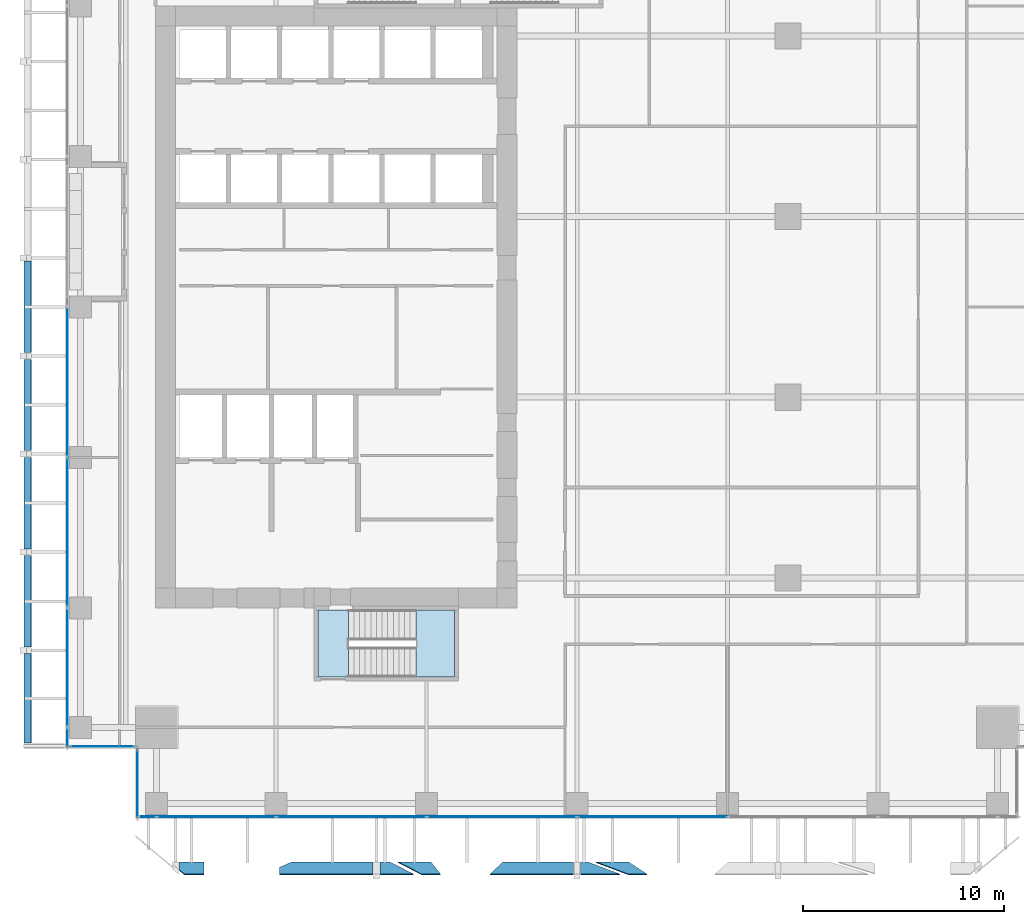
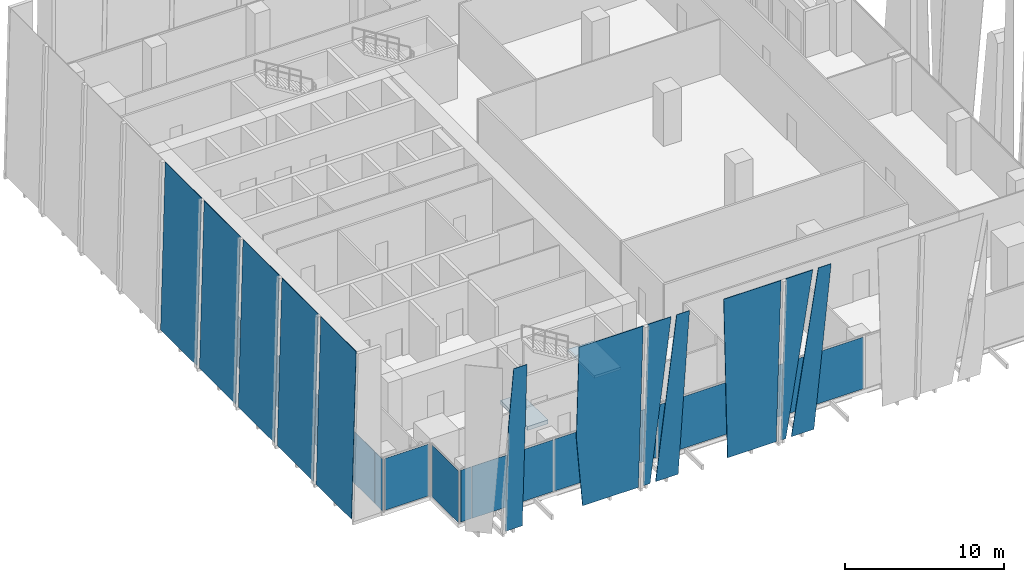
# One storey, part 21 of 35: 23 plates, 2 slabs, 5 elements without a shape of their own.
"""IFC4 building model written with IfcOpenShell, lengths in metres."""

from ifc_helpers import new_model, si_unit, direction, frame, origin, origin_2d, place, context, subcontext, project, spatial, polyline, rectangle, outline, extrude, source, transform, mapped, material, layer, layer_set, type_object, element, aggregate, save


model = new_model("IFC4")

# Units and contexts
model_context = context("Model", 3, precision=1e-05, world=origin(), true_north=direction((0.0, 1.0)))
body_context = subcontext(model_context, "Body", "Model", "MODEL_VIEW")
ifc_project = project(units=[si_unit("LENGTHUNIT", "METRE"), si_unit("AREAUNIT", "SQUARE_METRE"), si_unit("VOLUMEUNIT", "CUBIC_METRE"), si_unit("PLANEANGLEUNIT", "RADIAN"), si_unit("MASSUNIT", "GRAM", prefix="KILO")], contexts=[model_context])

# Site, building, storey
site_placement = place(None, origin())
site = spatial("IfcSite", under=ifc_project, at=site_placement, CompositionType="ELEMENT")
building_placement = place(site_placement, origin())
building = spatial("IfcBuilding", under=site, at=building_placement, Name="Khomas Fold Tower", CompositionType="ELEMENT")
storey_placement = place(building_placement, frame((0.0, 0.0, 127.89990234375)))
storey = spatial("IfcBuildingStorey", under=building, at=storey_placement, Name="L27", CompositionType="ELEMENT", Elevation=127.89990234375)

# Plates
ifc_material_1 = material(Name="Clear laminated glass", Category="glass")
ifc_layer_1 = layer(ifc_material_1, 0.0400390625)
ifc_layer_set_1 = layer_set([ifc_layer_1], Name="Clear laminated glass")
plate_type_1 = type_object("IfcPlateType", Name="SK-Clear laminated glass leaf", PredefinedType="SHEET", material=ifc_layer_set_1)
plate_1_placement = place(storey_placement, frame((8.39990234375, -0.653076171875, 0.0), z_axis=(-7.7752314e-05, 0.998875188287, 0.047416792155), x_axis=(-0.999999996977, -7.7664857e-05, -3.686765e-06)))
element("IfcPlate", 1, at=plate_1_placement, inside=storey, type_object=plate_type_1, Name="OUTER SKIN glass L27 SG099-2", PredefinedType="SHEET", context=body_context, shape_type="SweptSolid", body=[
    extrude(outline(polyline([(0.0, 0.0), (1.2299804650321244, -5.209169907552692e-22), (1.2299804783288064, 8.18817331555536), (0.969482417369714, 12.764356498757895), (-1.5748206985767067e-09, 12.764356498757895), (0.0, 0.0)])), origin(), (0.0, 0.0, -1.0), 0.0400390625),
])
plate_2_placement = place(storey_placement, frame((19.712646484375, -0.653076171875, 0.0), z_axis=(0.0, 0.998875266546, 0.047415207295), x_axis=(-1.0, 0.0, 0.0)))
element("IfcPlate", 2, at=plate_2_placement, inside=storey, type_object=plate_type_1, Name="OUTER SKIN glass L27 SG101-4", PredefinedType="SHEET", context=body_context, shape_type="SweptSolid", body=[
    extrude(outline(polyline([(0.0, 0.0), (1.636962890625, 0.0), (0.456787109375, 12.764356498773962), (-0.47412109375, 12.764356498773962), (0.0, 0.0)])), origin(), (0.0, 0.0, -1.0), 0.0400390625),
])
plate_3_placement = place(storey_placement, frame((12.77880859375, -0.653076171875, 0.0), z_axis=(3.987423e-06, 0.998875257519, 0.047415397289), x_axis=(-0.107355481146, -0.047140941902, 0.993102478229)))
element("IfcPlate", 3, at=plate_3_placement, inside=storey, type_object=plate_type_1, Name="OUTER SKIN glass L27 SG100-5", PredefinedType="SHEET", context=body_context, shape_type="SweptSolid", body=[
    extrude(outline(polyline([(0.0, 0.0), (5.67168729897001, 0.0), (12.75595478222255, 0.7649558535999821), (12.255661465789967, 5.398179663389625), (-0.4349259897779915, 4.0278560299481), (0.0, 0.0)])), origin(), (0.0, 0.0, -1.0), 0.0400390625),
])
plate_4_placement = place(storey_placement, frame((17.674072265625, -0.653076171875, 0.0), z_axis=(0.0, 0.998875266546, 0.047415207295), x_axis=(-1.0, 0.0, 0.0)))
element("IfcPlate", 4, at=plate_4_placement, inside=storey, type_object=plate_type_1, Name="OUTER SKIN glass L27 SG101-7", PredefinedType="SHEET", context=body_context, shape_type="SweptSolid", body=[
    extrude(outline(polyline([(0.0, 0.0), (0.504150390625, 0.0), (0.504150390625, 12.764356498773965), (-1.179931640625, 12.764356498773965), (0.0, 0.0)])), origin(), (0.0, 0.0, -1.0), 0.0400390625),
])
plate_5_placement = place(storey_placement, frame((29.566162109375, -0.653076171875, 0.0), z_axis=(0.0, 0.998875266546, 0.047415207295), x_axis=(-1.0, 0.0, 0.0)))
element("IfcPlate", 5, at=plate_5_placement, inside=storey, type_object=plate_type_1, Name="OUTER SKIN glass L27 SG103-8", PredefinedType="SHEET", context=body_context, shape_type="SweptSolid", body=[
    extrude(outline(polyline([(0.0, 0.0), (1.635986328125, 0.0), (0.026611328125, 12.764356498773962), (-0.9033203125, 12.764356498773962), (0.0, 0.0)])), origin(), (0.0, 0.0, -1.0), 0.0400390625),
])
plate_6_placement = place(storey_placement, frame((23.295166015625, -0.653076171875, 0.0), z_axis=(0.0, 0.998875266546, 0.047415207295), x_axis=(-0.049172691647, -0.047357848716, 0.997666918646)))
element("IfcPlate", 6, at=plate_6_placement, inside=storey, type_object=plate_type_1, Name="OUTER SKIN glass L27 SG102-9", PredefinedType="SHEET", context=body_context, shape_type="SweptSolid", body=[
    extrude(outline(polyline([(0.0, 0.0), (12.779816351232947, 1.1102230246251565e-16), (12.575094205074823, 4.1582936623442945), (-0.17382114315507383, 3.5306358961521753), (0.0, 0.0)])), origin(), (0.0, 0.0, -1.0), 0.0400390625),
])
plate_7_placement = place(storey_placement, frame((27.527099609375, -0.653076171875, 0.0), z_axis=(0.0, 0.998875266546, 0.047415207295), x_axis=(-1.0, 0.0, 0.0)))
element("IfcPlate", 7, at=plate_7_placement, inside=storey, type_object=plate_type_1, Name="OUTER SKIN glass L27 SG103-11", PredefinedType="SHEET", context=body_context, shape_type="SweptSolid", body=[
    extrude(outline(polyline([(0.0, 0.0), (0.357177734375, 0.0), (0.357177734375, 12.764356498773964), (-1.609375, 12.764356498773964), (0.0, 0.0)])), origin(), (0.0, 0.0, -1.0), 0.0400390625),
])
plate_8_placement = place(storey_placement, frame((-0.548583984375, 5.27001953125, 0.001220703125), z_axis=(-0.999657592188, 0.0, 0.026166741891), x_axis=(0.0, 1.0, 0.0)))
element("IfcPlate", 8, at=plate_8_placement, inside=storey, type_object=plate_type_1, Name="OUTER SKIN glass L27 W1", PredefinedType="SHEET", context=body_context, shape_type="SweptSolid", body=[
    extrude(outline(polyline([(0.0, 0.0), (4.448974609375, 0.0), (4.448974609375, -12.75436719496662), (0.0, -12.75436719496662), (0.0, 0.0)])), origin(), (0.0, 0.0, -1.0), 0.0400390625),
])
for number, where, z_axis, x_axis, name in (
    (9, (-0.548583984375, 10.058837890625, 0.001220703125), (-0.999657592188, 0.0, 0.026166741891), (0.0, 1.0, 0.0), "OUTER SKIN glass L27 W3"),
    (10, (-0.548583984375, 14.94775390625, 0.001220703125), (-0.999657592188, 0.0, 0.026166741891), (0.0, 1.0, 0.0), "OUTER SKIN glass L27 W5"),
    (11, (-0.548583984375, 19.836669921875, 0.001220703125), (-0.999657592188, 0.0, 0.026166741891), (0.0, 1.0, 0.0), "OUTER SKIN glass L27 W7"),
    (12, (-0.548583984375, 24.7255859375, 0.001220703125), (-0.999657592188, 0.0, 0.026166741891), (0.0, 1.0, 0.0), "OUTER SKIN glass L27 W9"),
):
    element("IfcPlate", number, at=place(storey_placement, frame(where, z_axis=z_axis, x_axis=x_axis)), inside=storey, type_object=plate_type_1, Name=name, PredefinedType="SHEET", context=body_context, shape_type="SweptSolid", body=[
        extrude(outline(polyline([(0.0, 0.0), (4.548828125, 0.0), (4.548828125, -12.75436719496662), (0.0, -12.75436719496662), (0.0, 0.0)])), origin(), (0.0, 0.0, -1.0), 0.0400390625),
    ])

# Curtain wall, plates
ifc_material_2 = material(Name="Aluminium framed double glazing", Category="aluminium")
curtain_wall_type = type_object("IfcCurtainWallType", Name="SK-Unitised clear-glass wall, growing floors CW1", PredefinedType="NOTDEFINED", material=ifc_material_2)
curtain_wall_1_placement = place(storey_placement, origin())
curtain_wall_1 = element("IfcCurtainWall", 13, at=curtain_wall_1_placement, inside=storey, type_object=curtain_wall_type, Name="CW1 run L27 00-0", PredefinedType="NOTDEFINED")
ifc_material_3 = material(Name="Clear double glazed unit")
ifc_layer_2 = layer(ifc_material_3, 0.031982421875)
ifc_layer_set_2 = layer_set([ifc_layer_2], Name="Clear double glazed unit")
plate_type_2 = type_object("IfcPlateType", Name="SK-Unitised clear-glass wall, growing floors glass panel CW1-P", PredefinedType="CURTAIN_PANEL", material=ifc_layer_set_2)
shared_shape_1 = source(origin(), body_context, "Body", "SweptSolid", [
    extrude(rectangle(XDim=0.760009765625, YDim=0.031982421875, at=origin_2d()), origin(), (0.0, 0.0, 1.0), 3.97998046875),
])
plate_9_placement = place(storey_placement, frame((5.639892578125, 1.60009765625, 0.0), z_axis=(0.0, 0.0, 1.0), x_axis=(1.0, 0.0, 0.0)))
plate_9 = element("IfcPlate", 14, at=plate_9_placement, type_object=plate_type_2, Name="CW1 glass panel 1", PredefinedType="CURTAIN_PANEL", context=body_context, shape_type="MappedRepresentation", body=[
    mapped(shared_shape_1, transform((0.0, 0.0, 0.0))),
])
shared_shape_2 = source(origin(), body_context, "Body", "SweptSolid", [
    extrude(rectangle(XDim=5.889892578125, YDim=0.031982421875, at=origin_2d()), origin(), (0.0, 0.0, 1.0), 3.97998046875),
])
plate_10_placement = place(storey_placement, frame((9.02490234375, 1.60009765625, 0.0), z_axis=(0.0, 0.0, 1.0), x_axis=(1.0, 0.0, 0.0)))
plate_10 = element("IfcPlate", 15, at=plate_10_placement, type_object=plate_type_2, Name="CW1 glass panel 2", PredefinedType="CURTAIN_PANEL", context=body_context, shape_type="MappedRepresentation", body=[
    mapped(shared_shape_2, transform((0.0, 0.0, 0.0))),
])

# Curtain wall, plate
curtain_wall_2_placement = place(storey_placement, origin())
curtain_wall_2 = element("IfcCurtainWall", 16, at=curtain_wall_2_placement, inside=storey, type_object=curtain_wall_type, Name="CW1 run L27 09-1", PredefinedType="NOTDEFINED")
plate_11_placement = place(storey_placement, frame((1.60009765625, 9.02490234375, 0.0), z_axis=(0.0, 0.0, 1.0), x_axis=(0.0, -1.0, 0.0)))
plate_11 = element("IfcPlate", 17, at=plate_11_placement, type_object=plate_type_2, Name="CW1 glass panel 4", PredefinedType="CURTAIN_PANEL", context=body_context, shape_type="MappedRepresentation", body=[
    mapped(shared_shape_2, transform((0.0, 0.0, 0.0))),
])

# Plate
shared_shape_3 = source(origin(), body_context, "Body", "SweptSolid", [
    extrude(rectangle(XDim=7.43994140625, YDim=0.031982421875, at=origin_2d()), origin(), (0.0, 0.0, 1.0), 3.97998046875),
])
plate_12_placement = place(storey_placement, frame((15.75, 1.60009765625, 0.0), z_axis=(0.0, 0.0, 1.0), x_axis=(1.0, 0.0, 0.0)))
plate_12 = element("IfcPlate", 18, at=plate_12_placement, type_object=plate_type_2, Name="CW1 glass panel 3", PredefinedType="CURTAIN_PANEL", context=body_context, shape_type="MappedRepresentation", body=[
    mapped(shared_shape_3, transform((0.0, 0.0, 0.0))),
])

plate_13_placement = place(storey_placement, frame((23.25, 1.60009765625, 0.0), z_axis=(0.0, 0.0, 1.0), x_axis=(1.0, 0.0, 0.0)))
plate_13 = element("IfcPlate", 19, at=plate_13_placement, type_object=plate_type_2, Name="CW1 glass panel 4", PredefinedType="CURTAIN_PANEL", context=body_context, shape_type="MappedRepresentation", body=[
    mapped(shared_shape_3, transform((0.0, 0.0, 0.0))),
])

plate_14_placement = place(storey_placement, frame((30.75, 1.60009765625, 0.0), z_axis=(0.0, 0.0, 1.0), x_axis=(1.0, 0.0, 0.0)))
plate_14 = element("IfcPlate", 20, at=plate_14_placement, type_object=plate_type_2, Name="CW1 glass panel 5", PredefinedType="CURTAIN_PANEL", context=body_context, shape_type="MappedRepresentation", body=[
    mapped(shared_shape_3, transform((0.0, 0.0, 0.0))),
])

aggregate(curtain_wall_1, [plate_9, plate_10, plate_12, plate_13, plate_14])

plate_15_placement = place(storey_placement, frame((1.60009765625, 23.25, 0.0), z_axis=(0.0, 0.0, 1.0), x_axis=(0.0, -1.0, 0.0)))
plate_15 = element("IfcPlate", 21, at=plate_15_placement, type_object=plate_type_2, Name="CW1 glass panel 2", PredefinedType="CURTAIN_PANEL", context=body_context, shape_type="MappedRepresentation", body=[
    mapped(shared_shape_3, transform((0.0, 0.0, 0.0))),
])

plate_16_placement = place(storey_placement, frame((1.60009765625, 15.75, 0.0), z_axis=(0.0, 0.0, 1.0), x_axis=(0.0, -1.0, 0.0)))
plate_16 = element("IfcPlate", 22, at=plate_16_placement, type_object=plate_type_2, Name="CW1 glass panel 3", PredefinedType="CURTAIN_PANEL", context=body_context, shape_type="MappedRepresentation", body=[
    mapped(shared_shape_3, transform((0.0, 0.0, 0.0))),
])

shared_shape_4 = source(origin(), body_context, "Body", "SweptSolid", [
    extrude(rectangle(XDim=0.9599609375, YDim=0.031982421875, at=origin_2d()), origin(), (0.0, 0.0, 1.0), 3.97998046875),
])
plate_17_placement = place(storey_placement, frame((1.60009765625, 5.5400390625, 0.0), z_axis=(0.0, 0.0, 1.0), x_axis=(0.0, -1.0, 0.0)))
plate_17 = element("IfcPlate", 23, at=plate_17_placement, type_object=plate_type_2, Name="CW1 glass panel 5", PredefinedType="CURTAIN_PANEL", context=body_context, shape_type="MappedRepresentation", body=[
    mapped(shared_shape_4, transform((0.0, 0.0, 0.0))),
])

aggregate(curtain_wall_2, [plate_15, plate_16, plate_11, plate_17])

# Curtain wall, plate
curtain_wall_3_placement = place(storey_placement, origin())
curtain_wall_3 = element("IfcCurtainWall", 24, at=curtain_wall_3_placement, inside=storey, type_object=curtain_wall_type, Name="CW1 corner return L27 10", PredefinedType="NOTDEFINED")
shared_shape_5 = source(origin(), body_context, "Body", "SweptSolid", [
    extrude(rectangle(XDim=3.179931640625, YDim=0.031982421875, at=origin_2d()), origin(), (0.0, 0.0, 1.0), 3.97998046875),
])
plate_18_placement = place(storey_placement, frame((3.35009765625, 5.10009765625, 0.0), z_axis=(0.0, 0.0, 1.0), x_axis=(1.0, 0.0, 0.0)))
plate_18 = element("IfcPlate", 25, at=plate_18_placement, type_object=plate_type_2, Name="CW1 glass panel 1", PredefinedType="CURTAIN_PANEL", context=body_context, shape_type="MappedRepresentation", body=[
    mapped(shared_shape_5, transform((0.0, 0.0, 0.0))),
])
aggregate(curtain_wall_3, [plate_18])

curtain_wall_4_placement = place(storey_placement, origin())
curtain_wall_4 = element("IfcCurtainWall", 26, at=curtain_wall_4_placement, inside=storey, type_object=curtain_wall_type, Name="CW1 corner return L27 11", PredefinedType="NOTDEFINED")
shared_shape_6 = source(origin(), body_context, "Body", "SweptSolid", [
    extrude(rectangle(XDim=3.3798828125, YDim=0.031982421875, at=origin_2d()), origin(), (0.0, 0.0, 1.0), 3.97998046875),
])
plate_19_placement = place(storey_placement, frame((5.10009765625, 3.25, 0.0), z_axis=(0.0, 0.0, 1.0), x_axis=(0.0, -1.0, 0.0)))
plate_19 = element("IfcPlate", 27, at=plate_19_placement, type_object=plate_type_2, Name="CW1 glass panel 1", PredefinedType="CURTAIN_PANEL", context=body_context, shape_type="MappedRepresentation", body=[
    mapped(shared_shape_6, transform((0.0, 0.0, 0.0))),
])
aggregate(curtain_wall_4, [plate_19])

# Stair, slab
ifc_material_4 = material(Name="Concrete C40/50", Category="concrete")
stair_type = type_object("IfcStairType", Name="Stair ST2", PredefinedType="HALF_TURN_STAIR", material=ifc_material_4)
stair_placement = place(storey_placement, origin())
stair = element("IfcStair", 28, at=stair_placement, inside=storey, type_object=stair_type, Name="L27 ST2", PredefinedType="HALF_TURN_STAIR")
ifc_material_5 = material(Name="Concrete C40/50", Category="concrete")
ifc_layer_3 = layer(ifc_material_5, 0.199951171875)
ifc_layer_set_3 = layer_set([ifc_layer_3], Name="Concrete C40/50")
slab_type_1 = type_object("IfcSlabType", Name="Stair landing 200", PredefinedType="LANDING", material=ifc_layer_set_3)
shared_shape_7 = source(origin(), body_context, "Body", "SweptSolid", [
    extrude(outline(polyline([(18.9599609375, 8.550048828125), (20.89990234375, 8.550048828125), (20.89990234375, 11.89990234375), (18.9599609375, 11.89990234375), (18.9599609375, 8.550048828125)])), origin(), (0.0, 0.0, 1.0), 0.2001953125),
])
slab_1_placement = place(storey_placement, frame((0.0, 0.0, 2.0)))
slab_1 = element("IfcSlab", 29, at=slab_1_placement, type_object=slab_type_1, Name="ST2 landing 1", PredefinedType="LANDING", context=body_context, shape_type="MappedRepresentation", body=[
    mapped(shared_shape_7, transform((0.0, 0.0, 0.0))),
])
aggregate(stair, [slab_1])

# Slab
ifc_material_6 = material(Name="Concrete C40/50", Category="concrete")
ifc_layer_4 = layer(ifc_material_6, 0.300048828125)
ifc_layer_set_4 = layer_set([ifc_layer_4], Name="Concrete C40/50")
slab_type_2 = type_object("IfcSlabType", Name="Stair floor landing 300", PredefinedType="LANDING", material=ifc_layer_set_4)
shared_shape_8 = source(origin(), body_context, "Body", "SweptSolid", [
    extrude(outline(polyline([(15.60009765625, 8.550048828125), (14.10009765625, 8.550048828125), (14.10009765625, 11.89990234375), (15.60009765625, 11.89990234375), (15.60009765625, 8.550048828125)])), origin(), (0.0, 0.0, 1.0), 0.2998046875),
])
slab_2_placement = place(storey_placement, frame((0.0, 0.0, -0.2998046875)))
element("IfcSlab", 30, at=slab_2_placement, inside=storey, type_object=slab_type_2, Name="ST2 floor landing", PredefinedType="LANDING", context=body_context, shape_type="MappedRepresentation", body=[
    mapped(shared_shape_8, transform((0.0, 0.0, 0.0))),
])

save(model, "model.ifc")
